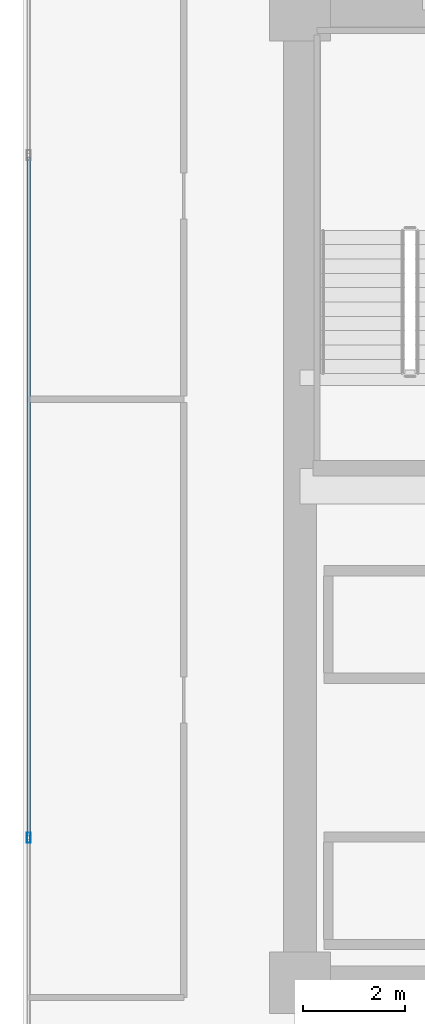
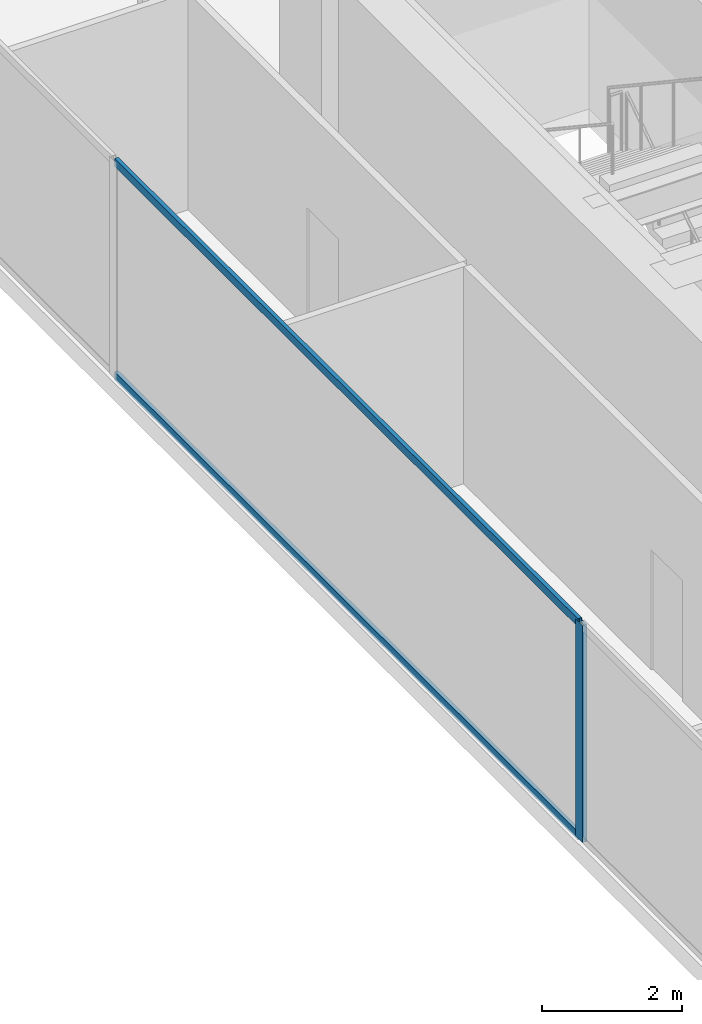
# One storey, part 6 of 30: 3 members, 1 element without a shape of its own.
"""IFC4 building model written with IfcOpenShell, lengths in metres."""

from ifc_helpers import new_model, si_unit, direction, frame, origin, origin_2d, place, context, subcontext, project, spatial, hollow_rectangle, extrude, source, transform, mapped, material, layer, layer_set, material_profile, profile_set, type_object, type_shapes, element, aggregate, save


model = new_model("IFC4")

# Units and contexts
model_context = context("Model", 3, precision=1e-05, world=origin(), true_north=direction((0.0, 1.0)))
body_context = subcontext(model_context, "Body", "Model", "MODEL_VIEW")
ifc_project = project(units=[si_unit("LENGTHUNIT", "METRE"), si_unit("AREAUNIT", "SQUARE_METRE"), si_unit("VOLUMEUNIT", "CUBIC_METRE"), si_unit("PLANEANGLEUNIT", "RADIAN"), si_unit("MASSUNIT", "GRAM", prefix="KILO")], contexts=[model_context])

# Site, building, storey
site_placement = place(None, origin())
site = spatial("IfcSite", under=ifc_project, at=site_placement, CompositionType="ELEMENT")
building_placement = place(site_placement, origin())
building = spatial("IfcBuilding", under=site, at=building_placement, Name="Haelvirn Gate Laboratories", CompositionType="ELEMENT")
storey_placement = place(building_placement, frame((0.0, 0.0, 105.10009765625)))
storey = spatial("IfcBuildingStorey", under=building, at=storey_placement, Name="L25", CompositionType="ELEMENT", Elevation=105.10009765625)

# Curtain wall, members
ifc_material_1 = material(Name="Anodised bronze unitised aluminium & triple low-E glass", Category="aluminium")
ifc_layer = layer(ifc_material_1, 0.179931640625, Name="CW-SYS-3")
ifc_layer_set = layer_set([ifc_layer], Name="Anodised bronze unitised aluminium & triple low-E glass")
curtain_wall_type = type_object("IfcCurtainWallType", Name="CW-SYS-3", PredefinedType="NOTDEFINED", material=ifc_layer_set)
curtain_wall_placement = place(storey_placement, origin())
curtain_wall = element("IfcCurtainWall", 1, at=curtain_wall_placement, inside=storey, type_object=curtain_wall_type, Name="L25 Unitised Curtain Wall CW-L25-P0-E17", PredefinedType="NOTDEFINED")
ifc_material_2 = material(Name="Extruded aluminium 6063-T6 (anodised bronze)", Category="aluminium")
ifc_material_profile_1 = material_profile(ifc_material_2, hollow_rectangle(XDim=0.06494140625, YDim=0.139892578125, WallThickness=0.00390625, at=origin_2d()), Name="CWT-140x65x4")
ifc_profile_set_1 = profile_set([ifc_material_profile_1], Name="Extruded aluminium 6063-T6 (anodised bronze)")
member_type_1 = type_object("IfcMemberType", Name="CWT-T140", PredefinedType="USERDEFINED", material=ifc_profile_set_1)
shared_shape_1 = source(origin(), body_context, "Body", "SweptSolid", [
    extrude(hollow_rectangle(XDim=0.06494140625, YDim=0.139892578125, WallThickness=0.00390625, at=origin_2d()), origin(), (0.0, 0.0, 1.0), 13.25830078125),
])
type_shapes(member_type_1, [shared_shape_1])
member_1_placement = place(storey_placement, frame((2.10009765625, 30.92919921875, 0.032470703125), z_axis=(0.0, -1.0, 0.0), x_axis=(1.0, 0.0, 0.0)))
member_1 = element("IfcMember", 2, at=member_1_placement, type_object=member_type_1, Name="CW3 transom 2.1", ObjectType="TRANSOM", PredefinedType="USERDEFINED", context=body_context, shape_type="MappedRepresentation", body=[
    mapped(shared_shape_1, transform((0.0, 0.0, 0.0), scale=1.0)),
])
member_2_placement = place(storey_placement, frame((2.10009765625, 30.92919921875, 3.75732421875), z_axis=(0.0, -1.0, 0.0), x_axis=(1.0, 0.0, 0.0)))
member_2 = element("IfcMember", 3, at=member_2_placement, type_object=member_type_1, Name="CW3 transom 2.2", ObjectType="TRANSOM", PredefinedType="USERDEFINED", context=body_context, shape_type="MappedRepresentation", body=[
    mapped(shared_shape_1, transform((0.0, 0.0, 0.0), scale=1.0)),
])
ifc_material_profile_2 = material_profile(ifc_material_2, hollow_rectangle(XDim=0.074951171875, YDim=0.199951171875, WallThickness=0.0048828125, at=origin_2d()), Name="CWM-200x75x5")
ifc_profile_set_2 = profile_set([ifc_material_profile_2], Name="Extruded aluminium 6063-T6 (anodised bronze)")
member_type_2 = type_object("IfcMemberType", Name="CWM-T200", PredefinedType="MULLION", material=ifc_profile_set_2)
shared_shape_2 = source(origin(), body_context, "Body", "SweptSolid", [
    extrude(hollow_rectangle(XDim=0.074951171875, YDim=0.199951171875, WallThickness=0.0048828125, at=origin_2d()), origin(), (0.0, 0.0, 1.0), 3.789794921875),
])
type_shapes(member_type_2, [shared_shape_2])
member_3_placement = place(storey_placement, frame((2.10009765625, 17.63330078125, 0.0), z_axis=(0.0, 0.0, 1.0), x_axis=(1.0, 0.0, 0.0)))
member_3 = element("IfcMember", 4, at=member_3_placement, type_object=member_type_2, Name="CW3 mullion 3", PredefinedType="MULLION", context=body_context, shape_type="MappedRepresentation", body=[
    mapped(shared_shape_2, transform((0.0, 0.0, 0.0), scale=1.0)),
])
aggregate(curtain_wall, [member_3, member_1, member_2])

save(model, "model.ifc")
